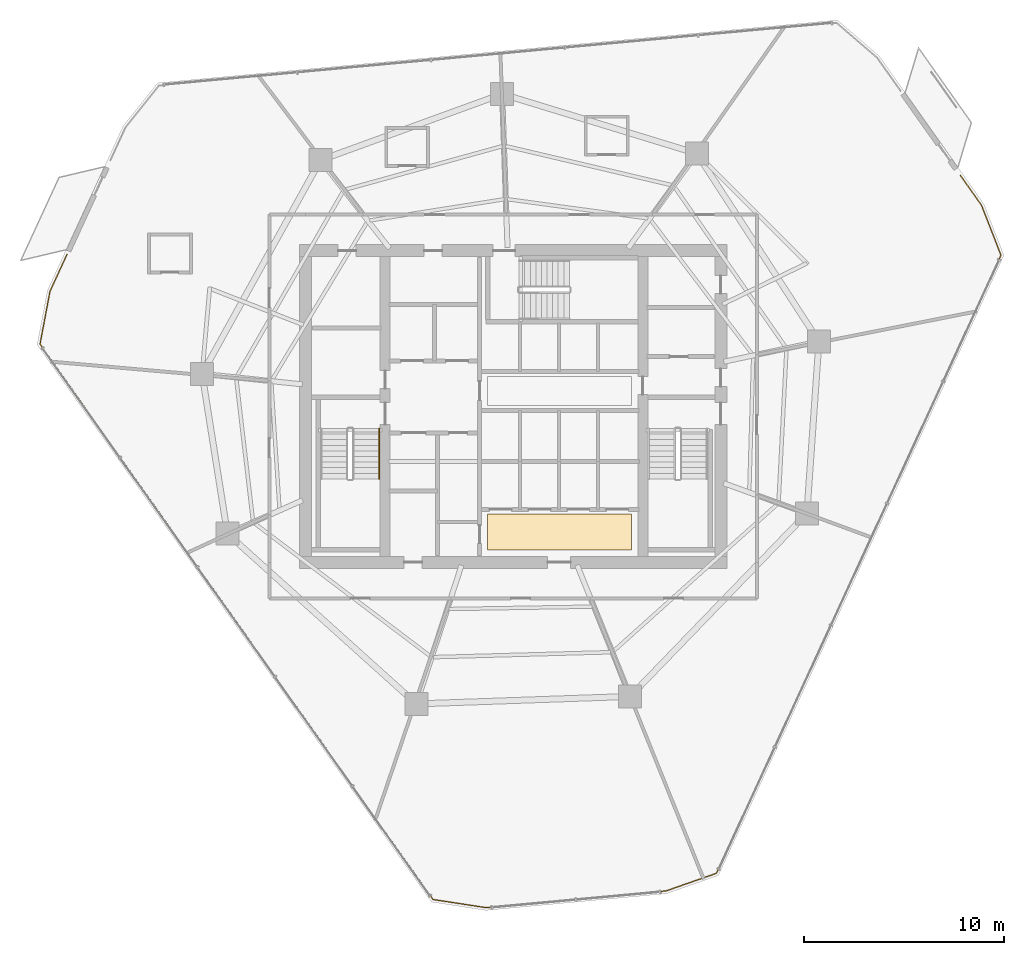
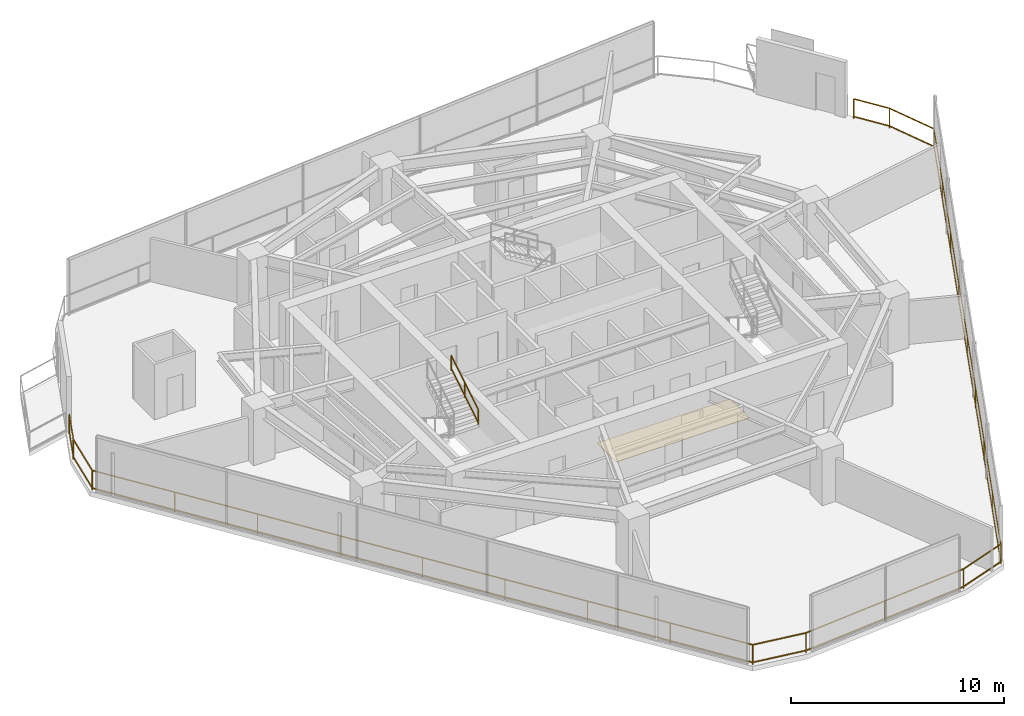
# One storey, part 29 of 30: 2 railings, 1 covering.
"""IFC4 building model written with IfcOpenShell, lengths in metres."""

from ifc_helpers import new_model, si_unit, direction, frame, origin, origin_2d, place, context, subcontext, project, spatial, rectangle, extrude, material, layer, layer_set, type_object, element, save


model = new_model("IFC4")

# Units and contexts
model_context = context("Model", 3, precision=1e-05, world=origin(), true_north=direction((0.0, 1.0)))
body_context = subcontext(model_context, "Body", "Model", "MODEL_VIEW")
ifc_project = project(units=[si_unit("LENGTHUNIT", "METRE"), si_unit("AREAUNIT", "SQUARE_METRE"), si_unit("VOLUMEUNIT", "CUBIC_METRE"), si_unit("PLANEANGLEUNIT", "RADIAN"), si_unit("MASSUNIT", "GRAM", prefix="KILO")], contexts=[model_context])

# Site, building, storey
site_placement = place(None, origin())
site = spatial("IfcSite", under=ifc_project, at=site_placement, CompositionType="ELEMENT")
building_placement = place(site_placement, origin())
building = spatial("IfcBuilding", under=site, at=building_placement, Name="Qarnah Convention Tower", CompositionType="ELEMENT")
storey_placement = place(building_placement, frame((0.0, 0.0, 86.699951171875)))
storey = spatial("IfcBuildingStorey", under=building, at=storey_placement, Name="L22", CompositionType="ELEMENT", Elevation=86.699951171875)

# Covering
ifc_material_1 = material(Name="Porcelain stone floor tile", Category="masonry")
ifc_layer = layer(ifc_material_1, 0.02001953125)
ifc_layer_set = layer_set([ifc_layer], Name="Porcelain stone floor tile")
covering_type = type_object("IfcCoveringType", Name="COV-FLOOR-20", PredefinedType="FLOORING", material=ifc_layer_set)
covering_placement = place(storey_placement, frame((39.52001953125, 20.1201171875, 0.0), z_axis=(0.0, 0.0, 1.0), x_axis=(1.0, 0.0, 0.0)))
element("IfcCovering", 1, at=covering_placement, inside=storey, type_object=covering_type, Name="L22 lift lobby porcelain stone flooring", PredefinedType="FLOORING", context=body_context, shape_type="SweptSolid", body=[
    extrude(rectangle(XDim=7.199951171875, YDim=1.800048828125, at=origin_2d()), origin(), (0.0, 0.0, 1.0), 0.02001953125),
])

# Railings
ifc_material_2 = material(Name="Black anodised aluminium", Category="aluminium")
railing_type_1 = type_object("IfcRailingType", Name="RL-EXT-GUARD-1150", PredefinedType="GUARDRAIL", material=ifc_material_2)
railing_1_placement = place(storey_placement, frame((59.5859375, 37.968994140625, 0.0)))
element("IfcRailing", 2, at=railing_1_placement, inside=storey, type_object=railing_type_1, Name="L22 slab-edge perimeter safety guard 02", PredefinedType="GUARDRAIL", context=body_context, shape_type="SweptSolid", body=[
    extrude(rectangle(XDim=0.048095703125, YDim=0.048095703125, at=origin_2d()), frame((0.0, 0.0, 1.1259765625), z_axis=(0.577486322265, -0.81640035987, 0.0), x_axis=(0.81640035987, 0.577486322265, 0.0)), (0.0, 0.0, 1.0), 1.83740234375),
    extrude(rectangle(XDim=0.048095703125, YDim=0.048095703125, at=origin_2d()), frame((0.0, 0.0, 0.1201171875), z_axis=(0.577486322265, -0.81640035987, 0.0), x_axis=(0.81640035987, 0.577486322265, 0.0)), (0.0, 0.0, 1.0), 1.83740234375),
    extrude(rectangle(XDim=0.048095703125, YDim=0.048095703125, at=origin_2d()), frame((1.06103515625, -1.5, 1.1259765625), z_axis=(0.362842079377, -0.931850645454, 0.0), x_axis=(0.931850645454, 0.362842079377, 0.0)), (0.0, 0.0, 1.0), 2.6787109375),
    extrude(rectangle(XDim=0.048095703125, YDim=0.048095703125, at=origin_2d()), frame((1.06103515625, -1.5, 0.1201171875), z_axis=(0.362842079377, -0.931850645454, 0.0), x_axis=(0.931850645454, 0.362842079377, 0.0)), (0.0, 0.0, 1.0), 2.6787109375),
    extrude(rectangle(XDim=0.048095703125, YDim=0.048095703125, at=origin_2d()), frame((2.032958984375, -3.99609375, 1.1259765625), z_axis=(-0.418194684019, -0.908357422086, 0.0), x_axis=(0.908357422086, -0.418194684019, 0.0)), (0.0, 0.0, 1.0), 34.0556640625),
    extrude(rectangle(XDim=0.048095703125, YDim=0.048095703125, at=origin_2d()), frame((2.032958984375, -3.99609375, 0.1201171875), z_axis=(-0.418194684019, -0.908357422086, 0.0), x_axis=(0.908357422086, -0.418194684019, 0.0)), (0.0, 0.0, 1.0), 34.0556640625),
    extrude(rectangle(XDim=0.048095703125, YDim=0.048095703125, at=origin_2d()), frame((-12.208984375, -34.930908203125, 1.1259765625), z_axis=(-0.943876821729, -0.330297661818, 0.0), x_axis=(0.330297661818, -0.943876821729, 0.0)), (0.0, 0.0, 1.0), 2.679443359375),
    extrude(rectangle(XDim=0.048095703125, YDim=0.048095703125, at=origin_2d()), frame((-12.208984375, -34.930908203125, 0.1201171875), z_axis=(-0.943876821729, -0.330297661818, 0.0), x_axis=(0.330297661818, -0.943876821729, 0.0)), (0.0, 0.0, 1.0), 2.679443359375),
    extrude(rectangle(XDim=0.048095703125, YDim=0.048095703125, at=origin_2d()), frame((-14.738037109375, -35.81591796875, 1.1259765625), z_axis=(-0.995748564733, -0.092112951493, 0.0), x_axis=(0.092112951493, -0.995748564733, 0.0)), (0.0, 0.0, 1.0), 9.043212890625),
    extrude(rectangle(XDim=0.048095703125, YDim=0.048095703125, at=origin_2d()), frame((-14.738037109375, -35.81591796875, 0.1201171875), z_axis=(-0.995748564733, -0.092112951493, 0.0), x_axis=(0.092112951493, -0.995748564733, 0.0)), (0.0, 0.0, 1.0), 9.043212890625),
    extrude(rectangle(XDim=0.048095703125, YDim=0.048095703125, at=origin_2d()), frame((-23.742919921875, -36.64892578125, 1.1259765625), z_axis=(-0.988448482702, 0.151557240156, 0.0), x_axis=(-0.151557240156, -0.988448482702, 0.0)), (0.0, 0.0, 1.0), 2.678955078125),
    extrude(rectangle(XDim=0.048095703125, YDim=0.048095703125, at=origin_2d()), frame((-23.742919921875, -36.64892578125, 0.1201171875), z_axis=(-0.988448482702, 0.151557240156, 0.0), x_axis=(-0.151557240156, -0.988448482702, 0.0)), (0.0, 0.0, 1.0), 2.678955078125),
    extrude(rectangle(XDim=0.048095703125, YDim=0.048095703125, at=origin_2d()), frame((-26.390869140625, -36.242919921875, 1.1259765625), z_axis=(-0.577569135687, 0.816341774934, 0.0), x_axis=(-0.816341774934, -0.577569135687, 0.0)), (0.0, 0.0, 1.0), 34.056884765625),
    extrude(rectangle(XDim=0.048095703125, YDim=0.048095703125, at=origin_2d()), frame((-26.390869140625, -36.242919921875, 0.1201171875), z_axis=(-0.577569135687, 0.816341774934, 0.0), x_axis=(-0.816341774934, -0.577569135687, 0.0)), (0.0, 0.0, 1.0), 34.056884765625),
    extrude(rectangle(XDim=0.048095703125, YDim=0.048095703125, at=origin_2d()), frame((-46.06103515625, -8.44091796875, 1.1259765625), z_axis=(0.185520748053, 0.982640347249, 0.0), x_axis=(-0.982640347249, 0.185520748053, 0.0)), (0.0, 0.0, 1.0), 2.679443359375),
    extrude(rectangle(XDim=0.048095703125, YDim=0.048095703125, at=origin_2d()), frame((-46.06103515625, -8.44091796875, 0.1201171875), z_axis=(0.185520748053, 0.982640347249, 0.0), x_axis=(-0.982640347249, 0.185520748053, 0.0)), (0.0, 0.0, 1.0), 2.679443359375),
    extrude(rectangle(XDim=0.048095703125, YDim=0.048095703125, at=origin_2d()), frame((-45.56396484375, -5.80810546875, 1.1259765625), z_axis=(0.418423069775, 0.90825224177, 0.0), x_axis=(-0.90825224177, 0.418423069775, 0.0)), (0.0, 0.0, 1.0), 2.048095703125),
    extrude(rectangle(XDim=0.048095703125, YDim=0.048095703125, at=origin_2d()), frame((-45.56396484375, -5.80810546875, 0.1201171875), z_axis=(0.418423069775, 0.90825224177, 0.0), x_axis=(-0.90825224177, 0.418423069775, 0.0)), (0.0, 0.0, 1.0), 2.048095703125),
    extrude(rectangle(XDim=0.0419921875, YDim=0.0419921875, at=origin_2d()), origin(), (0.0, 0.0, 1.0), 1.101806640625),
    extrude(rectangle(XDim=0.0419921875, YDim=0.0419921875, at=origin_2d()), frame((1.06103515625, -1.5, 0.0)), (0.0, 0.0, 1.0), 1.101806640625),
    extrude(rectangle(XDim=0.0419921875, YDim=0.0419921875, at=origin_2d()), frame((2.032958984375, -3.99609375, 0.0)), (0.0, 0.0, 1.0), 1.101806640625),
    extrude(rectangle(XDim=0.0419921875, YDim=0.0419921875, at=origin_2d()), frame((0.252685546875, -7.863037109375, 0.0)), (0.0, 0.0, 1.0), 1.101806640625),
    extrude(rectangle(XDim=0.0419921875, YDim=0.0419921875, at=origin_2d()), frame((-1.527587890625, -11.729736328125, 0.0)), (0.0, 0.0, 1.0), 1.101806640625),
    extrude(rectangle(XDim=0.0419921875, YDim=0.0419921875, at=origin_2d()), frame((-3.307861328125, -15.5966796875, 0.0)), (0.0, 0.0, 1.0), 1.101806640625),
    extrude(rectangle(XDim=0.0419921875, YDim=0.0419921875, at=origin_2d()), frame((-5.087890625, -19.46337890625, 0.0)), (0.0, 0.0, 1.0), 1.101806640625),
    extrude(rectangle(XDim=0.0419921875, YDim=0.0419921875, at=origin_2d()), frame((-6.8681640625, -23.330322265625, 0.0)), (0.0, 0.0, 1.0), 1.101806640625),
    extrude(rectangle(XDim=0.0419921875, YDim=0.0419921875, at=origin_2d()), frame((-8.6484375, -27.197265625, 0.0)), (0.0, 0.0, 1.0), 1.101806640625),
    extrude(rectangle(XDim=0.0419921875, YDim=0.0419921875, at=origin_2d()), frame((-10.4287109375, -31.06396484375, 0.0)), (0.0, 0.0, 1.0), 1.101806640625),
    extrude(rectangle(XDim=0.0419921875, YDim=0.0419921875, at=origin_2d()), frame((-12.208984375, -34.930908203125, 0.0)), (0.0, 0.0, 1.0), 1.101806640625),
    extrude(rectangle(XDim=0.0419921875, YDim=0.0419921875, at=origin_2d()), frame((-14.738037109375, -35.81591796875, 0.0)), (0.0, 0.0, 1.0), 1.101806640625),
    extrude(rectangle(XDim=0.0419921875, YDim=0.0419921875, at=origin_2d()), frame((-19.240478515625, -36.232421875, 0.0)), (0.0, 0.0, 1.0), 1.101806640625),
    extrude(rectangle(XDim=0.0419921875, YDim=0.0419921875, at=origin_2d()), frame((-23.742919921875, -36.64892578125, 0.0)), (0.0, 0.0, 1.0), 1.101806640625),
    extrude(rectangle(XDim=0.0419921875, YDim=0.0419921875, at=origin_2d()), frame((-26.390869140625, -36.242919921875, 0.0)), (0.0, 0.0, 1.0), 1.101806640625),
    extrude(rectangle(XDim=0.0419921875, YDim=0.0419921875, at=origin_2d()), frame((-28.849609375, -32.767578125, 0.0)), (0.0, 0.0, 1.0), 1.101806640625),
    extrude(rectangle(XDim=0.0419921875, YDim=0.0419921875, at=origin_2d()), frame((-31.308349609375, -29.29248046875, 0.0)), (0.0, 0.0, 1.0), 1.101806640625),
    extrude(rectangle(XDim=0.0419921875, YDim=0.0419921875, at=origin_2d()), frame((-33.76708984375, -25.817138671875, 0.0)), (0.0, 0.0, 1.0), 1.101806640625),
    extrude(rectangle(XDim=0.0419921875, YDim=0.0419921875, at=origin_2d()), frame((-36.22607421875, -22.341796875, 0.0)), (0.0, 0.0, 1.0), 1.101806640625),
    extrude(rectangle(XDim=0.0419921875, YDim=0.0419921875, at=origin_2d()), frame((-38.684814453125, -18.86669921875, 0.0)), (0.0, 0.0, 1.0), 1.101806640625),
    extrude(rectangle(XDim=0.0419921875, YDim=0.0419921875, at=origin_2d()), frame((-41.1435546875, -15.391357421875, 0.0)), (0.0, 0.0, 1.0), 1.101806640625),
    extrude(rectangle(XDim=0.0419921875, YDim=0.0419921875, at=origin_2d()), frame((-43.602294921875, -11.916259765625, 0.0)), (0.0, 0.0, 1.0), 1.101806640625),
    extrude(rectangle(XDim=0.0419921875, YDim=0.0419921875, at=origin_2d()), frame((-46.06103515625, -8.44091796875, 0.0)), (0.0, 0.0, 1.0), 1.101806640625),
    extrude(rectangle(XDim=0.0419921875, YDim=0.0419921875, at=origin_2d()), frame((-45.56396484375, -5.80810546875, 0.0)), (0.0, 0.0, 1.0), 1.101806640625),
    extrude(rectangle(XDim=0.0419921875, YDim=0.0419921875, at=origin_2d()), frame((-44.70703125, -3.947998046875, 0.0)), (0.0, 0.0, 1.0), 1.101806640625),
])
ifc_material_3 = material(Name="Structural steel S355JR", Category="steel")
railing_type_2 = type_object("IfcRailingType", Name="RL-STAIR-HAND-900", PredefinedType="HANDRAIL", material=ifc_material_3)
railing_2_placement = place(storey_placement, frame((30.5, 22.780029296875, 1.8974609375)))
element("IfcRailing", 3, at=railing_2_placement, inside=storey, type_object=railing_type_2, Name="L22 ST-1 stair handrail 2", PredefinedType="HANDRAIL", context=body_context, shape_type="SweptSolid", body=[
    extrude(rectangle(XDim=0.048095703125, YDim=0.048095703125, at=origin_2d()), frame((0.0, 0.0, 0.8759765625), z_axis=(0.0, 0.851400495292, 0.524516154772), x_axis=(-1.0, 0.0, 0.0)), (0.0, 0.0, 1.0), 2.9599609375),
    extrude(rectangle(XDim=0.048095703125, YDim=0.048095703125, at=origin_2d()), frame((0.0, 0.0, 0.1201171875), z_axis=(0.0, 0.851400495292, 0.524516154772), x_axis=(-1.0, 0.0, 0.0)), (0.0, 0.0, 1.0), 2.9599609375),
    extrude(rectangle(XDim=0.0419921875, YDim=0.0419921875, at=origin_2d()), origin(), (0.0, 0.0, 1.0), 0.851806640625),
    extrude(rectangle(XDim=0.0419921875, YDim=0.0419921875, at=origin_2d()), frame((0.0, 1.260009765625, 0.7763671875)), (0.0, 0.0, 1.0), 0.851806640625),
    extrude(rectangle(XDim=0.0419921875, YDim=0.0419921875, at=origin_2d()), frame((0.0, 2.52001953125, 1.552490234375)), (0.0, 0.0, 1.0), 0.851806640625),
])

save(model, "model.ifc")
